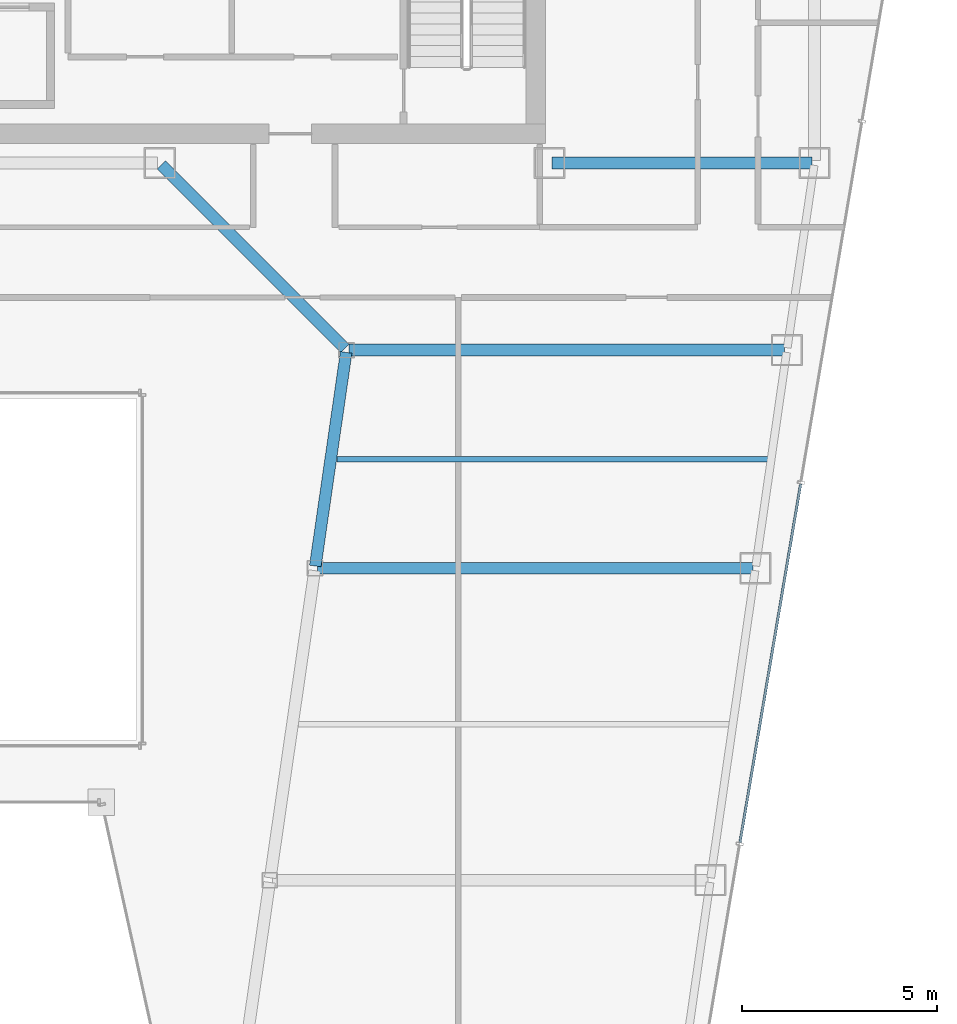
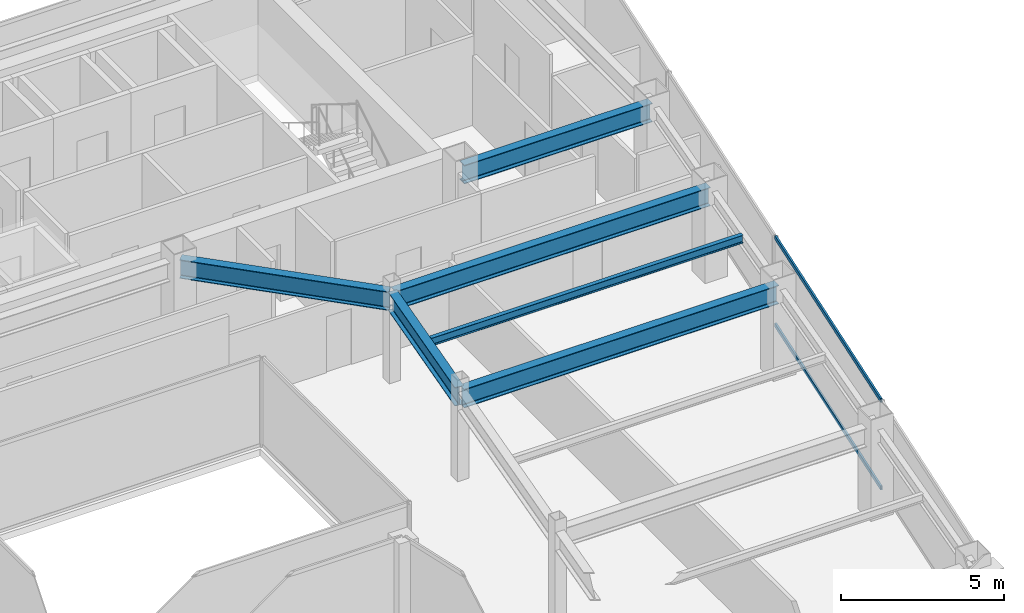
# One storey, part 19 of 34: 6 beams, 2 members, 1 element without a shape of its own.
"""IFC4 building model written with IfcOpenShell, lengths in metres."""

from ifc_helpers import new_model, si_unit, direction, frame, origin, origin_2d, place, context, subcontext, project, spatial, hollow_rectangle, i_section, extrude, material, material_profile, profile_set, type_object, element, aggregate, save


model = new_model("IFC4")

# Units and contexts
model_context = context("Model", 3, precision=1e-05, world=origin(), true_north=direction((0.0, 1.0)))
body_context = subcontext(model_context, "Body", "Model", "MODEL_VIEW")
ifc_project = project(units=[si_unit("LENGTHUNIT", "METRE"), si_unit("AREAUNIT", "SQUARE_METRE"), si_unit("VOLUMEUNIT", "CUBIC_METRE"), si_unit("PLANEANGLEUNIT", "RADIAN"), si_unit("MASSUNIT", "GRAM", prefix="KILO")], contexts=[model_context])

# Site, building, storey
site_placement = place(None, origin())
site = spatial("IfcSite", under=ifc_project, at=site_placement, CompositionType="ELEMENT")
building_placement = place(site_placement, origin())
building = spatial("IfcBuilding", under=site, at=building_placement, Name="Saevonmaru Cultural Tower", CompositionType="ELEMENT")
storey_placement = place(building_placement, frame((0.0, 0.0, 220.800048828125)))
storey = spatial("IfcBuildingStorey", under=building, at=storey_placement, Name="L51", CompositionType="ELEMENT", Elevation=220.800048828125)

# Beams
ifc_material_1 = material(Name="Steel SM355", Category="steel")
ifc_material_profile_1 = material_profile(ifc_material_1, i_section(OverallWidth=0.300048828125, OverallDepth=0.699951171875, WebThickness=0.012939453125, FlangeThickness=0.02392578125, FilletRadius=0.02587890625, at=origin_2d()), Name="H-700x300x13x24")
ifc_profile_set_1 = profile_set([ifc_material_profile_1], Name="Steel SM355")
beam_type_1 = type_object("IfcBeamType", Name="BM-G-H700", PredefinedType="BEAM", material=ifc_profile_set_1)
beam_1_placement = place(storey_placement, frame((46.4599609375, 42.39990234375, 3.0), z_axis=(1.0, 0.0, 0.0), x_axis=(0.0, 1.0, 0.0)))
element("IfcBeam", 1, at=beam_1_placement, inside=storey, type_object=beam_type_1, Name="L51 Core South Girder 5", PredefinedType="BEAM", context=body_context, shape_type="SweptSolid", body=[
    extrude(i_section(OverallWidth=0.300048828125, OverallDepth=0.699951171875, WebThickness=0.012939453125, FlangeThickness=0.02392578125, FilletRadius=0.02587890625, at=origin_2d()), origin(), (0.0, 0.0, 1.0), 6.679931640625),
])
beam_2_placement = place(storey_placement, frame((40.3916015625, 32.059326171875, 3.0), z_axis=(0.142964121327, 0.989727871697, 0.0), x_axis=(-0.989727871697, 0.142964121327, 0.0)))
element("IfcBeam", 2, at=beam_2_placement, inside=storey, type_object=beam_type_1, Name="L51 East Atrium Girder 3", PredefinedType="BEAM", context=body_context, shape_type="SweptSolid", body=[
    extrude(i_section(OverallWidth=0.300048828125, OverallDepth=0.699951171875, WebThickness=0.012939453125, FlangeThickness=0.02392578125, FilletRadius=0.02587890625, at=origin_2d()), origin(), (0.0, 0.0, 1.0), 5.5380859375),
])
beam_3_placement = place(storey_placement, frame((41.149658203125, 37.642578125, 3.0), z_axis=(-0.706538566564, 0.707674539572, 0.0), x_axis=(-0.707674539572, -0.706538566564, 0.0)))
element("IfcBeam", 3, at=beam_3_placement, inside=storey, type_object=beam_type_1, Name="L51 East Atrium Girder 4", PredefinedType="BEAM", context=body_context, shape_type="SweptSolid", body=[
    extrude(i_section(OverallWidth=0.300048828125, OverallDepth=0.699951171875, WebThickness=0.012939453125, FlangeThickness=0.02392578125, FilletRadius=0.02587890625, at=origin_2d()), origin(), (0.0, 0.0, 1.0), 6.662353515625),
])
for number, where, z_axis, x_axis, name in (
    (4, (40.443115234375, 32.0, 3.0), (1.0, 0.0, 0.0), (0.0, 1.0, 0.0), "L51 East Wing Transverse Girder 3"),
    (5, (41.251953125, 37.60009765625, 3.0), (1.0, 0.0, 0.0), (0.0, 1.0, 0.0), "L51 East Wing Transverse Girder 4"),
):
    element("IfcBeam", number, at=place(storey_placement, frame(where, z_axis=z_axis, x_axis=x_axis)), inside=storey, type_object=beam_type_1, Name=name, PredefinedType="BEAM", context=body_context, shape_type="SweptSolid", body=[
        extrude(i_section(OverallWidth=0.300048828125, OverallDepth=0.699951171875, WebThickness=0.012939453125, FlangeThickness=0.02392578125, FilletRadius=0.02587890625, at=origin_2d()), origin(), (0.0, 0.0, 1.0), 11.179931640625),
    ])
ifc_material_profile_2 = material_profile(ifc_material_1, i_section(OverallWidth=0.14990234375, OverallDepth=0.300048828125, WebThickness=0.006591796875, FlangeThickness=0.009033203125, FilletRadius=0.012939453125, at=origin_2d()), Name="H-300x150x6.5x9")
ifc_profile_set_2 = profile_set([ifc_material_profile_2], Name="Steel SM355")
beam_type_2 = type_object("IfcBeamType", Name="BM-J-H300", PredefinedType="JOIST", material=ifc_profile_set_2)
beam_4_placement = place(storey_placement, frame((40.945556640625, 34.800048828125, 3.199951171875), z_axis=(1.0, 0.0, 0.0), x_axis=(0.0, 1.0, 0.0)))
element("IfcBeam", 6, at=beam_4_placement, inside=storey, type_object=beam_type_2, Name="L51 East Wing Floor Joist 3", PredefinedType="JOIST", context=body_context, shape_type="SweptSolid", body=[
    extrude(i_section(OverallWidth=0.14990234375, OverallDepth=0.300048828125, WebThickness=0.006591796875, FlangeThickness=0.009033203125, FilletRadius=0.012939453125, at=origin_2d()), origin(), (0.0, 0.0, 1.0), 11.08203125),
])

# Curtain wall, members
ifc_material_2 = material(Name="Satin Bronze Anodised Aluminium", Category="aluminium")
curtain_wall_type = type_object("IfcCurtainWallType", Name="CW-TYP-B", PredefinedType="NOTDEFINED", material=ifc_material_2)
curtain_wall_placement = place(storey_placement, origin())
curtain_wall = element("IfcCurtainWall", 7, at=curtain_wall_placement, inside=storey, type_object=curtain_wall_type, Name="L51 Unitised Curtain Wall E8", PredefinedType="NOTDEFINED")
ifc_material_profile_3 = material_profile(ifc_material_2, hollow_rectangle(XDim=0.06494140625, YDim=0.14990234375, WallThickness=0.00390625, at=origin_2d()), Name="ALU-TRAN-150x65x4")
ifc_profile_set_3 = profile_set([ifc_material_profile_3], Name="Satin Bronze Anodised Aluminium")
member_type = type_object("IfcMemberType", Name="TR-CW-150x65", PredefinedType="USERDEFINED", material=ifc_profile_set_3)
member_1_placement = place(storey_placement, frame((51.287109375, 24.961669921875, 0.032470703125), z_axis=(0.166921263871, 0.985970228591, 0.0), x_axis=(-0.985970228591, 0.166921263871, 0.0)))
member_1 = element("IfcMember", 8, at=member_1_placement, type_object=member_type, Name="CW-TW-L51-E8 transom 2.1", ObjectType="TRANSOM", PredefinedType="USERDEFINED", context=body_context, shape_type="SweptSolid", body=[
    extrude(hollow_rectangle(XDim=0.06494140625, YDim=0.14990234375, WallThickness=0.00390625, at=origin_2d()), origin(), (0.0, 0.0, 1.0), 9.33740234375),
])
member_2_placement = place(storey_placement, frame((51.287109375, 24.961669921875, 3.3173828125), z_axis=(0.166921263871, 0.985970228591, 0.0), x_axis=(-0.985970228591, 0.166921263871, 0.0)))
member_2 = element("IfcMember", 9, at=member_2_placement, type_object=member_type, Name="CW-TW-L51-E8 transom 2.2", ObjectType="TRANSOM", PredefinedType="USERDEFINED", context=body_context, shape_type="SweptSolid", body=[
    extrude(hollow_rectangle(XDim=0.06494140625, YDim=0.14990234375, WallThickness=0.00390625, at=origin_2d()), origin(), (0.0, 0.0, 1.0), 9.33740234375),
])
aggregate(curtain_wall, [member_1, member_2])

save(model, "model.ifc")
